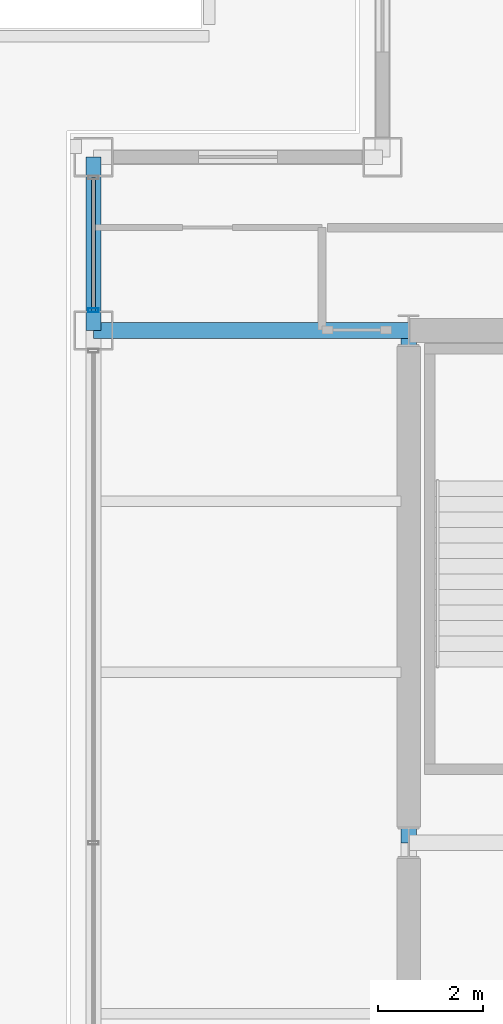
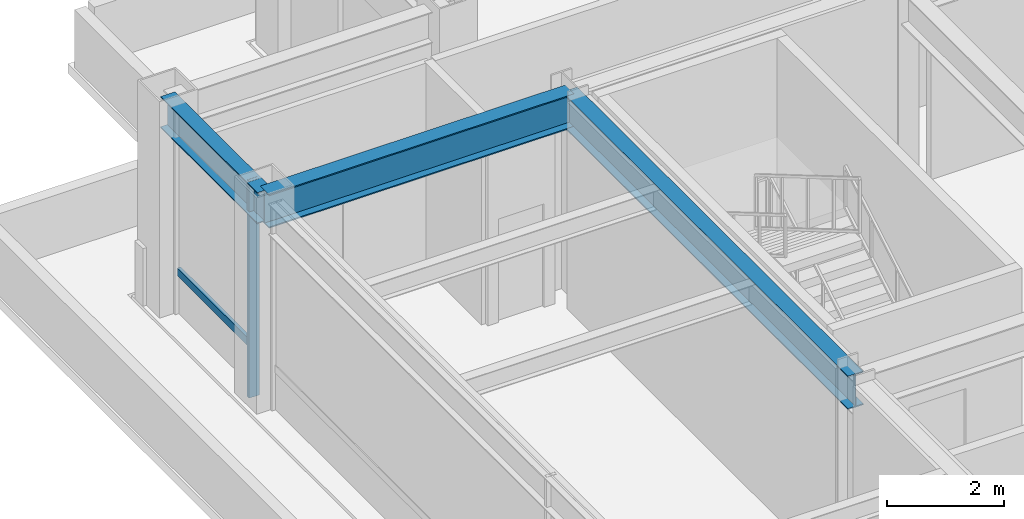
# One storey, part 8 of 24: 3 beams, 2 members, 1 element without a shape of its own.
"""IFC4 building model written with IfcOpenShell, lengths in metres."""

from ifc_helpers import new_model, si_unit, direction, frame, origin, origin_2d, place, context, subcontext, project, spatial, hollow_rectangle, i_section, extrude, material, layer, layer_set, material_profile, profile_set, type_object, element, aggregate, save


model = new_model("IFC4")

# Units and contexts
model_context = context("Model", 3, precision=1e-05, world=origin(), true_north=direction((0.0, 1.0)))
body_context = subcontext(model_context, "Body", "Model", "MODEL_VIEW")
ifc_project = project(units=[si_unit("LENGTHUNIT", "METRE"), si_unit("AREAUNIT", "SQUARE_METRE"), si_unit("VOLUMEUNIT", "CUBIC_METRE"), si_unit("PLANEANGLEUNIT", "RADIAN"), si_unit("MASSUNIT", "GRAM", prefix="KILO")], contexts=[model_context])

# Site, building, storey
site_placement = place(None, origin())
site = spatial("IfcSite", under=ifc_project, at=site_placement, CompositionType="ELEMENT")
building_placement = place(site_placement, origin())
building = spatial("IfcBuilding", under=site, at=building_placement, Name="Brelmoor Portico Tower", CompositionType="ELEMENT")
storey_placement = place(building_placement, frame((0.0, 0.0, 150.60009765625)))
storey = spatial("IfcBuildingStorey", under=building, at=storey_placement, Name="L39", CompositionType="ELEMENT", Elevation=150.60009765625)

# Beams
ifc_material_1 = material(Name="Steel Q355B", Category="steel")
ifc_material_profile_1 = material_profile(ifc_material_1, i_section(OverallWidth=0.300048828125, OverallDepth=0.699951171875, WebThickness=0.012939453125, FlangeThickness=0.02392578125, at=origin_2d()), Name="HN 700x300x13x24")
ifc_profile_set_1 = profile_set([ifc_material_profile_1], Name="Steel Q355B")
beam_type_1 = type_object("IfcBeamType", Name="BM-PG-700", PredefinedType="BEAM", material=ifc_profile_set_1)
beam_1_placement = place(storey_placement, frame((-14.550048828125, 0.0, 3.949951171875), z_axis=(0.0, 1.0, 0.0), x_axis=(-1.0, 0.0, 0.0)))
element("IfcBeam", 1, at=beam_1_placement, inside=storey, type_object=beam_type_1, Name="L39 Primary Floor Girder PG-02", PredefinedType="BEAM", context=body_context, shape_type="SweptSolid", body=[
    extrude(i_section(OverallWidth=0.300048828125, OverallDepth=0.699951171875, WebThickness=0.012939453125, FlangeThickness=0.02392578125, at=origin_2d()), origin(), (0.0, 0.0, 1.0), 9.75),
])
beam_2_placement = place(storey_placement, frame((-20.550048828125, 9.75, 3.949951171875), z_axis=(1.0, 0.0, 0.0), x_axis=(0.0, 1.0, 0.0)))
element("IfcBeam", 2, at=beam_2_placement, inside=storey, type_object=beam_type_1, Name="L39 Primary Floor Girder PG-18", PredefinedType="BEAM", context=body_context, shape_type="SweptSolid", body=[
    extrude(i_section(OverallWidth=0.300048828125, OverallDepth=0.699951171875, WebThickness=0.012939453125, FlangeThickness=0.02392578125, at=origin_2d()), origin(), (0.0, 0.0, 1.0), 6.0),
])
ifc_material_profile_2 = material_profile(ifc_material_1, i_section(OverallWidth=0.280029296875, OverallDepth=0.64990234375, WebThickness=0.012939453125, FlangeThickness=0.02197265625, at=origin_2d()), Name="HN 650x280x13x22")
ifc_profile_set_2 = profile_set([ifc_material_profile_2], Name="Steel Q355B")
beam_type_2 = type_object("IfcBeamType", Name="BM-SP-650", PredefinedType="SPANDREL", material=ifc_profile_set_2)
beam_3_placement = place(storey_placement, frame((-20.550048828125, 9.75, 3.974853515625), z_axis=(0.0, 1.0, 0.0), x_axis=(-1.0, 0.0, 0.0)))
element("IfcBeam", 3, at=beam_3_placement, inside=storey, type_object=beam_type_2, Name="L39 Perimeter Spandrel Beam SP-13", PredefinedType="SPANDREL", context=body_context, shape_type="SweptSolid", body=[
    extrude(i_section(OverallWidth=0.280029296875, OverallDepth=0.64990234375, WebThickness=0.012939453125, FlangeThickness=0.02197265625, at=origin_2d()), origin(), (0.0, 0.0, 1.0), 3.300048828125),
])

# Curtain wall, members
ifc_material_2 = material(Name="Anodised Aluminium Alloy 6063-T6", Category="aluminium")
ifc_layer = layer(ifc_material_2, 0.179931640625)
ifc_layer_set = layer_set([ifc_layer], Name="Anodised Aluminium Alloy 6063-T6")
curtain_wall_type = type_object("IfcCurtainWallType", Name="CW-SKYLOBBY", PredefinedType="NOTDEFINED", material=ifc_layer_set)
curtain_wall_placement = place(storey_placement, origin())
curtain_wall = element("IfcCurtainWall", 4, at=curtain_wall_placement, inside=storey, type_object=curtain_wall_type, Name="L39 Curtain Wall CW-L39-03-3", PredefinedType="NOTDEFINED")
ifc_material_profile_3 = material_profile(ifc_material_2, hollow_rectangle(XDim=0.070068359375, YDim=0.199951171875, WallThickness=0.00439453125, at=origin_2d()), Name="ALU MULLION 70x200")
ifc_profile_set_3 = profile_set([ifc_material_profile_3], Name="Anodised Aluminium Alloy 6063-T6")
member_type_1 = type_object("IfcMemberType", Name="MB-CW-MULL-200", PredefinedType="MULLION", material=ifc_profile_set_3)
member_1_placement = place(storey_placement, frame((-20.550048828125, 10.135009765625, -0.2001953125), z_axis=(0.0, 0.0, 1.0), x_axis=(0.0, 1.0, 0.0)))
member_1 = element("IfcMember", 5, at=member_1_placement, type_object=member_type_1, Name="CW-L39-03-3 Mullion 00", PredefinedType="MULLION", context=body_context, shape_type="SweptSolid", body=[
    extrude(hollow_rectangle(XDim=0.070068359375, YDim=0.199951171875, WallThickness=0.00439453125, at=origin_2d()), origin(), (0.0, 0.0, 1.0), 4.5),
])
ifc_material_profile_4 = material_profile(ifc_material_2, hollow_rectangle(XDim=0.070068359375, YDim=0.159912109375, WallThickness=0.00390625, at=origin_2d()), Name="ALU TRANSOM 70x160")
ifc_profile_set_4 = profile_set([ifc_material_profile_4], Name="Anodised Aluminium Alloy 6063-T6")
member_type_2 = type_object("IfcMemberType", Name="MB-CW-TRAN-160", PredefinedType="USERDEFINED", material=ifc_profile_set_4)
member_2_placement = place(storey_placement, frame((-20.550048828125, 10.135009765625, 0.849853515625), z_axis=(0.0, 1.0, 0.0), x_axis=(-1.0, 0.0, 0.0)))
member_2 = element("IfcMember", 6, at=member_2_placement, type_object=member_type_2, Name="CW-L39-03-3 Transom 1-00", ObjectType="TRANSOM", PredefinedType="USERDEFINED", context=body_context, shape_type="SweptSolid", body=[
    extrude(hollow_rectangle(XDim=0.070068359375, YDim=0.159912109375, WallThickness=0.00390625, at=origin_2d()), origin(), (0.0, 0.0, 1.0), 2.530029296875),
])
aggregate(curtain_wall, [member_1, member_2])

save(model, "model.ifc")
